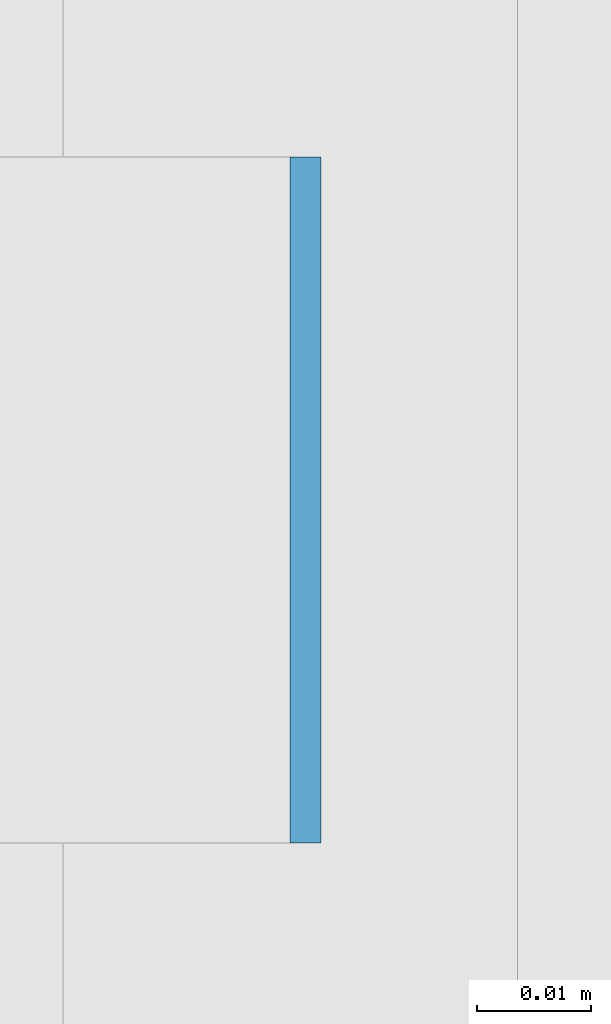
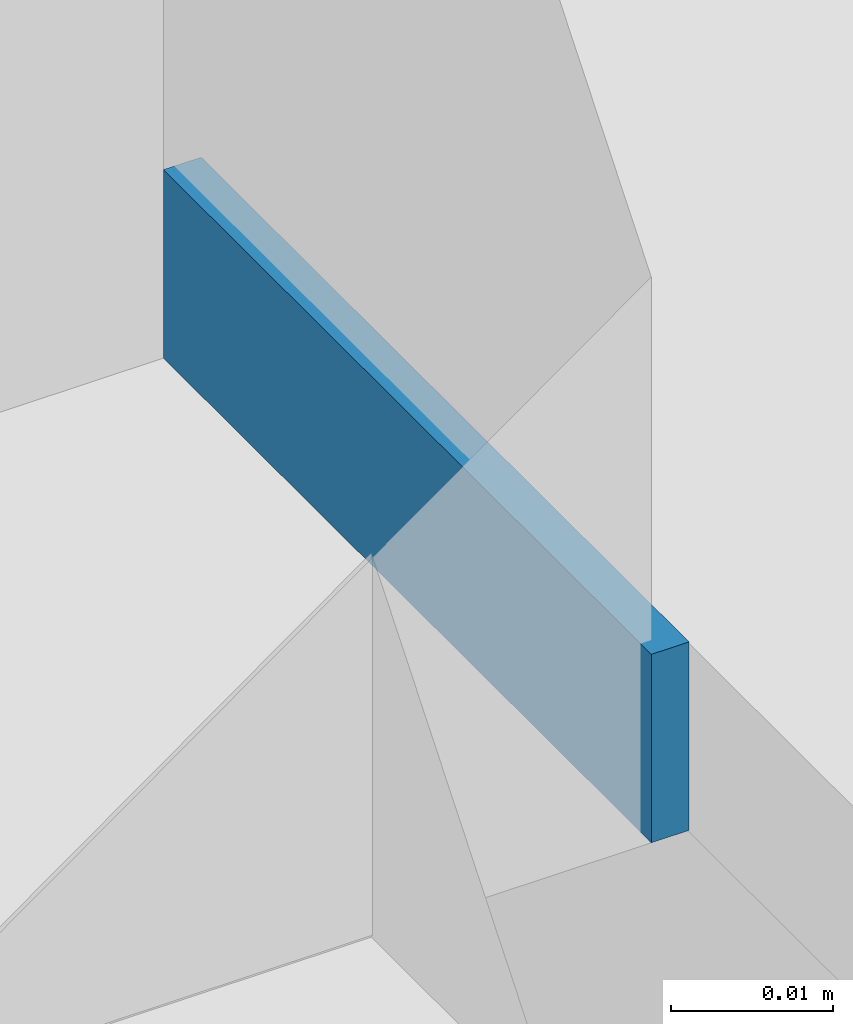
# One storey, part 372 of 646: 1 discrete accessory.
"""IFC4 building model written with IfcOpenShell, lengths in metres."""

from ifc_helpers import new_model, si_unit, direction, frame, origin, origin_2d, place, context, subcontext, project, spatial, rectangle, extrude, material, type_object, element, save


model = new_model("IFC4")

# Units and contexts
model_context = context("Model", 3, precision=1e-05, world=origin(), true_north=direction((0.0, 1.0)))
body_context = subcontext(model_context, "Body", "Model", "MODEL_VIEW")
ifc_project = project(units=[si_unit("LENGTHUNIT", "METRE"), si_unit("AREAUNIT", "SQUARE_METRE"), si_unit("VOLUMEUNIT", "CUBIC_METRE"), si_unit("PLANEANGLEUNIT", "RADIAN"), si_unit("MASSUNIT", "GRAM", prefix="KILO")], contexts=[model_context])

# Site, building, storey
site_placement = place(None, origin())
site = spatial("IfcSite", under=ifc_project, at=site_placement, CompositionType="ELEMENT")
building_placement = place(site_placement, origin())
building = spatial("IfcBuilding", under=site, at=building_placement, Name="Silverbay Arena", CompositionType="ELEMENT")
storey_placement = place(building_placement, frame((0.0, 0.0, 33.5)))
storey = spatial("IfcBuildingStorey", under=building, at=storey_placement, Name="L05", CompositionType="ELEMENT", Elevation=33.5)

# Discrete accessory
ifc_material = material(Name="Steel S355", Category="steel")
discrete_accessory_type = type_object("IfcDiscreteAccessoryType", Name="Steel bracket plate", PredefinedType="BRACKET", material=ifc_material)
discrete_accessory_placement = place(storey_placement, frame((53.871337890625, 102.857177734375, 4.0), z_axis=(0.0, 0.0, 1.0), x_axis=(1.0, 0.0, 0.0)))
element("IfcDiscreteAccessory", 1, at=discrete_accessory_placement, inside=storey, type_object=discrete_accessory_type, Name="Curtain wall packing plate", PredefinedType="BRACKET", context=body_context, shape_type="SweptSolid", body=[
    extrude(rectangle(XDim=0.002685546875, YDim=0.06005859375, at=origin_2d()), origin(), (0.0, 0.0, 1.0), 0.01416015625),
])

save(model, "model.ifc")
